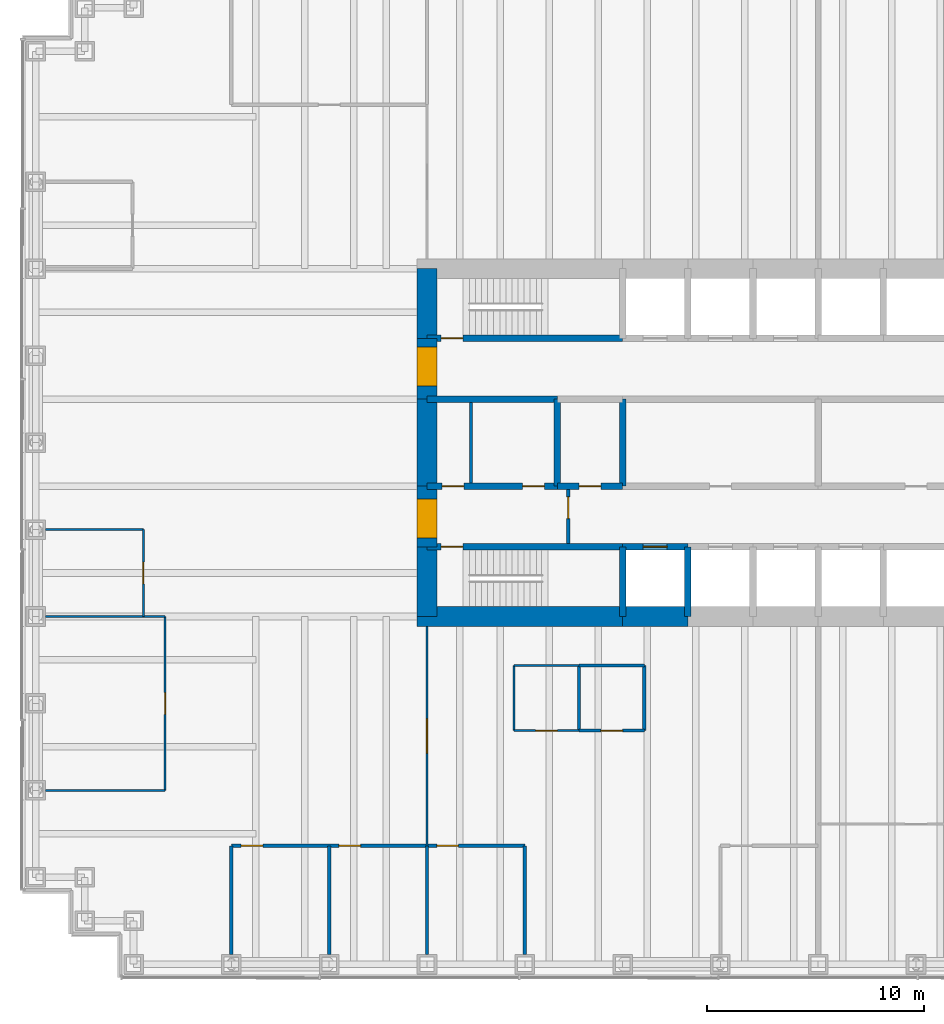
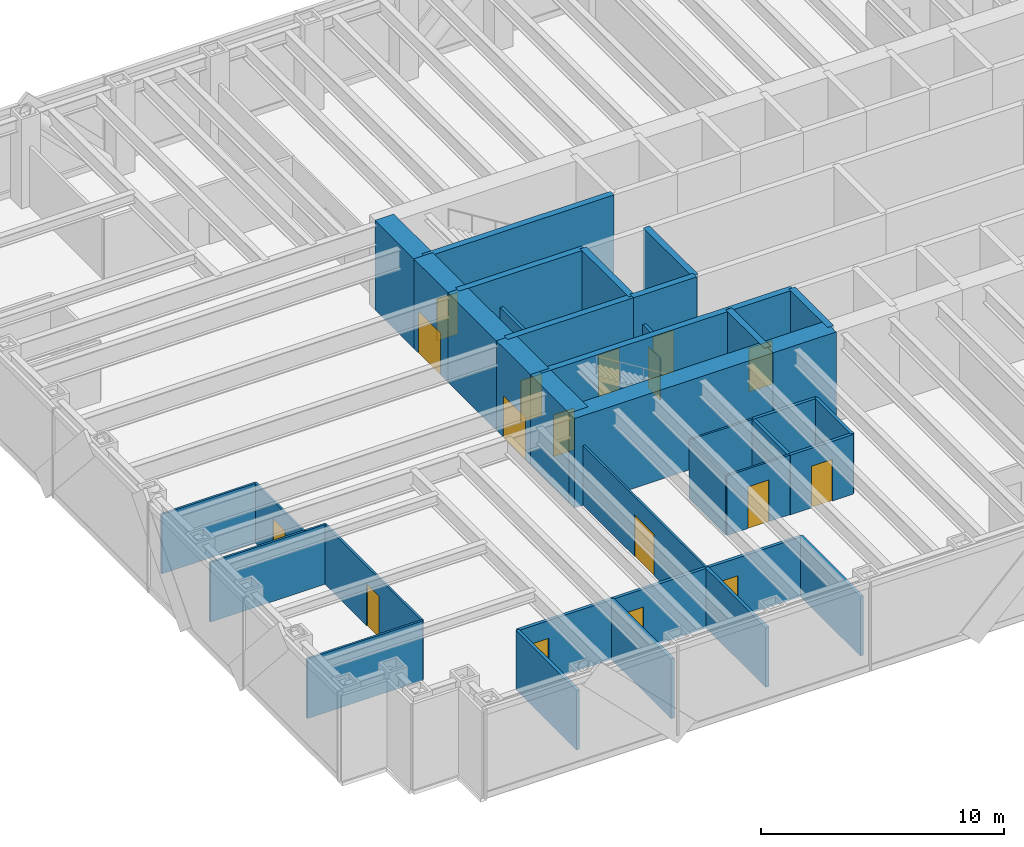
# One storey, part 9 of 13: 37 walls, 17 doors, 17 openings.
"""IFC4 building model written with IfcOpenShell, lengths in metres."""

import ifcopenshell
import ifcopenshell.guid

model = None  # the IFC model being written
_history = None  # IfcOwnerHistory: only IFC2X3 demands one
_inside = {}  # id of a spatial element -> (the spatial element, [elements in it])
_under = {}  # id of a project, library or spatial element -> (it, [spatial elements below it])
_declared = {}  # id of a project -> (the project, [libraries it declares])
_typed = {}  # id of a type object -> (the type object, [elements of that type])
_made_of = {}  # id of a material, layer set ... -> (it, [elements and type objects made of it])


def new_model(schema):
    """Start an empty IFC model of exactly this schema.

    Asked for "IFC4X3", IfcOpenShell would pick the latest addendum, in which some entities
    have other attributes; the version numbers below select the first issue.
    IFC2X3 requires an IfcOwnerHistory on every rooted entity: one is made here for all.
    """
    global model, _history
    if schema == "IFC4X3":
        model = ifcopenshell.file(schema_version=(4, 3, 0, 0))
    else:
        model = ifcopenshell.file(schema=schema)
    _inside.clear()
    _under.clear()
    _declared.clear()
    _typed.clear()
    _made_of.clear()
    _history = None
    if model.schema == "IFC2X3":
        org = make("IfcOrganization", Name="unknown")
        user = make(
            "IfcPersonAndOrganization",
            ThePerson=make("IfcPerson", FamilyName="unknown"),
            TheOrganization=org,
        )
        app = make(
            "IfcApplication",
            ApplicationDeveloper=org,
            Version="unknown",
            ApplicationFullName="unknown",
            ApplicationIdentifier="unknown",
        )
        _history = make(
            "IfcOwnerHistory",
            OwningUser=user,
            OwningApplication=app,
            ChangeAction="ADDED",
            CreationDate=0,
        )
    return model


def make(cls, **values):
    """One entity of the class cls with the attributes given. An attribute that is None is left unset."""
    return model.create_entity(
        cls, **{name: value for name, value in values.items() if value is not None}
    )


def rooted(cls, **values):
    """An entity with a GlobalId (a new one), such as an element, a storey or a relation."""
    return make(cls, GlobalId=ifcopenshell.guid.new(), OwnerHistory=_history, **values)


def si_unit(unit_type, name, prefix=None):
    """IfcSIUnit, for example si_unit("LENGTHUNIT", "METRE", prefix="MILLI")."""
    return make("IfcSIUnit", UnitType=unit_type, Prefix=prefix, Name=name)


def assignment(units):
    """IfcUnitAssignment: the units of a project."""
    return None if units is None else make("IfcUnitAssignment", Units=units)


def point(xyz):
    """IfcCartesianPoint."""
    return None if xyz is None else make("IfcCartesianPoint", Coordinates=xyz)


def direction(xyz):
    """IfcDirection."""
    return None if xyz is None else make("IfcDirection", DirectionRatios=xyz)


def frame(location, z_axis=None, x_axis=None):
    """IfcAxis2Placement3D, a coordinate frame: its origin and axes. An axis left out is left unset."""
    return make(
        "IfcAxis2Placement3D",
        Location=point(location),
        Axis=direction(z_axis),
        RefDirection=direction(x_axis),
    )


def frame_2d(location, x_axis=None):
    """IfcAxis2Placement2D, a coordinate frame in the plane: its origin and x axis."""
    return make(
        "IfcAxis2Placement2D", Location=point(location), RefDirection=direction(x_axis)
    )


def origin():
    """The frame at (0, 0, 0) with its axes left unset."""
    return frame((0.0, 0.0, 0.0))


def place(relative_to, where):
    """IfcLocalPlacement: puts the frame where relative to a parent placement (None: the world)."""
    return make(
        "IfcLocalPlacement", PlacementRelTo=relative_to, RelativePlacement=where
    )


def context(
    kind, dimensions, precision=None, world=None, true_north=None, identifier=None
):
    """IfcGeometricRepresentationContext, for example the 3D "Model" context."""
    return make(
        "IfcGeometricRepresentationContext",
        ContextIdentifier=identifier,
        ContextType=kind,
        CoordinateSpaceDimension=dimensions,
        Precision=precision,
        WorldCoordinateSystem=world,
        TrueNorth=true_north,
    )


def subcontext(parent, identifier, kind, view, scale=None):
    """IfcGeometricRepresentationSubContext, for example "Body" below "Model"."""
    return make(
        "IfcGeometricRepresentationSubContext",
        ContextIdentifier=identifier,
        ContextType=kind,
        ParentContext=parent,
        TargetScale=scale,
        TargetView=view,
    )


def project(units=None, contexts=None):
    """IfcProject with its units and contexts."""
    return rooted(
        "IfcProject",
        Name="project",
        RepresentationContexts=contexts,
        UnitsInContext=assignment(units),
    )


def spatial(cls, under=None, at=None, **own):
    """A site, building, storey or space (cls), placed at a placement, below another one or the project."""
    s = rooted(cls, ObjectPlacement=at, **own)
    if under is not None:
        _under.setdefault(under.id(), (under, []))[1].append(s)
    return s


def profile(cls, at=None, kind="AREA", **sizes):
    """A parametric profile (cls). Its sizes go by their IFC names, for example OverallWidth=200.0."""
    return make(cls, ProfileType=kind, Position=at, **sizes)


def rectangle(**sizes):
    """IfcRectangleProfileDef."""
    return profile("IfcRectangleProfileDef", **sizes)


def extrude(swept, where, along, depth):
    """IfcExtrudedAreaSolid: the profile swept, set in the frame where, extruded along a direction by depth."""
    return make(
        "IfcExtrudedAreaSolid",
        SweptArea=swept,
        Position=where,
        ExtrudedDirection=direction(along),
        Depth=depth,
    )


def shape(context_of_items, identifier, shape_type, items):
    """IfcShapeRepresentation: the items that make up one representation, for example the "Body"."""
    return make(
        "IfcShapeRepresentation",
        ContextOfItems=context_of_items,
        RepresentationIdentifier=identifier,
        RepresentationType=shape_type,
        Items=items,
    )


def material(Name=None, Category=None):
    """IfcMaterial."""
    return make("IfcMaterial", Name=Name, Category=Category)


def layer(
    of_material, thickness, ventilated=None, Name=None, Category=None, Priority=None
):
    """IfcMaterialLayer: one layer of a wall or slab, of a material (None: an air gap)."""
    return make(
        "IfcMaterialLayer",
        Material=of_material,
        LayerThickness=thickness,
        IsVentilated=ventilated,
        Name=Name,
        Category=Category,
        Priority=Priority,
    )


def layer_set(layers, Name=None):
    """IfcMaterialLayerSet."""
    return make("IfcMaterialLayerSet", MaterialLayers=layers, LayerSetName=Name)


def made_of(thing, what):
    """Note that an element or type object is made of a material, layer set ...; save() writes the relation."""
    if what is not None:
        _made_of.setdefault(what.id(), (what, []))[1].append(thing)
    return thing


def type_object(cls, material=None, **own):
    """A type object (cls), such as IfcWallType, which elements share."""
    return made_of(rooted(cls, **own), material)


def element(
    cls,
    number,
    at=None,
    inside=None,
    cuts=None,
    type_object=None,
    material=None,
    context=None,
    identifier="Body",
    shape_type=None,
    held_by="IfcProductDefinitionShape",
    body=None,
    shapes=None,
    **own,
):
    """One element of the class cls, such as IfcWall. Its Tag is "e" and its number.

    at: its placement. inside: the storey or other place that contains it. cuts: it is an
    opening in that element (IfcRelVoidsElement). A single representation is given by context,
    identifier, shape_type and body (its items); several are given by shapes. held_by: the class
    of the entity that holds the representations. save() writes the other relations.
    """
    e = rooted(cls, Tag="e%d" % number, ObjectPlacement=at, **own)
    if body is not None:
        shapes = [shape(context, identifier, shape_type, body)]
    if shapes is not None:
        e.Representation = make(held_by, Representations=shapes)
    if inside is not None:
        _inside.setdefault(inside.id(), (inside, []))[1].append(e)
    if cuts is not None:
        rooted(
            "IfcRelVoidsElement", RelatingBuildingElement=cuts, RelatedOpeningElement=e
        )
    if type_object is not None:
        _typed.setdefault(type_object.id(), (type_object, []))[1].append(e)
    return made_of(e, material)


def fill(opening, filler):
    """IfcRelFillsElement: the door or window that sits in an opening."""
    return rooted(
        "IfcRelFillsElement",
        RelatingOpeningElement=opening,
        RelatedBuildingElement=filler,
    )


def aggregate(whole, parts):
    """IfcRelAggregates: a whole, such as a stair, and the parts it consists of."""
    return rooted("IfcRelAggregates", RelatingObject=whole, RelatedObjects=parts)


def save(model, path):
    """Write the relations noted so far, then the file.

    IfcRelAggregates (storeys below a building ...), IfcRelContainedInSpatialStructure (elements
    in a storey), IfcRelDefinesByType, IfcRelAssociatesMaterial and IfcRelDeclares: one each for
    every whole, place, type object, material and project.
    """
    for whole, parts in _under.values():
        aggregate(whole, parts)
    for where, things in _inside.values():
        rooted(
            "IfcRelContainedInSpatialStructure",
            RelatedElements=things,
            RelatingStructure=where,
        )
    for kind, things in _typed.values():
        rooted("IfcRelDefinesByType", RelatedObjects=things, RelatingType=kind)
    for what, things in _made_of.values():
        rooted("IfcRelAssociatesMaterial", RelatedObjects=things, RelatingMaterial=what)
    for by, libraries in _declared.values():
        rooted("IfcRelDeclares", RelatingContext=by, RelatedDefinitions=libraries)
    model.write(path)


model = new_model("IFC4")

# Units and contexts
model_context = context("Model", 3, precision=1e-05, world=origin(), true_north=direction((0.0, 1.0)))
body_context = subcontext(model_context, "Body", "Model", "MODEL_VIEW")
ifc_project = project(units=[si_unit("LENGTHUNIT", "METRE"), si_unit("AREAUNIT", "SQUARE_METRE"), si_unit("VOLUMEUNIT", "CUBIC_METRE"), si_unit("PLANEANGLEUNIT", "RADIAN"), si_unit("MASSUNIT", "GRAM", prefix="KILO")], contexts=[model_context])

# Site, building, storey
site_placement = place(None, origin())
site = spatial("IfcSite", under=ifc_project, at=site_placement, CompositionType="ELEMENT")
building_placement = place(site_placement, origin())
building = spatial("IfcBuilding", under=site, at=building_placement, Name="Rheinbord Bourse Tower", CompositionType="ELEMENT")
storey_placement = place(building_placement, frame((0.0, 0.0, 54.5)))
storey = spatial("IfcBuildingStorey", under=building, at=storey_placement, Name="L11", CompositionType="ELEMENT", Elevation=54.5)

# Wall, opening, door
ifc_material_1 = material(Name="Concrete C50/60", Category="concrete")
ifc_layer_1 = layer(ifc_material_1, 0.300048828125)
ifc_layer_set_1 = layer_set([ifc_layer_1], Name="CORE INNER WALL 300")
wall_type_1 = type_object("IfcWallType", Name="CORE INNER WALL 300", PredefinedType="SOLIDWALL", material=ifc_layer_set_1)
wall_1_placement = place(storey_placement, frame((18.0, 19.199951171875, 0.0), z_axis=(0.0, 0.0, 1.0), x_axis=(1.0, 0.0, 0.0)))
wall_1 = element("IfcWall", 1, at=wall_1_placement, inside=storey, type_object=wall_type_1, Name="Core wall A1 L11", PredefinedType="SOLIDWALL", context=body_context, shape_type="SweptSolid", body=[
    extrude(rectangle(XDim=9.0, YDim=0.300048828125, at=frame_2d((4.5, 0.0))), origin(), (0.0, 0.0, 1.0), 4.5),
])
opening_1_placement = place(wall_1_placement, frame((0.64990234375, 0.0, 0.0)))
opening_1 = element("IfcOpeningElement", 2, at=opening_1_placement, cuts=wall_1, Name="Opening 1110", PredefinedType="OPENING", context=body_context, shape_type="SweptSolid", body=[
    extrude(rectangle(XDim=1.0, YDim=2.10009765625, at=frame_2d((0.5, 1.050048828125))), frame((0.0, 0.159912109375, 0.0), z_axis=(0.0, -1.0, 0.0), x_axis=(1.0, 0.0, 0.0)), (0.0, 0.0, 1.0), 0.320068359375),
])
ifc_material_2 = material(Name="Steel door", Category="steel")
door_type_1 = type_object("IfcDoorType", Name="DOOR 1000 EI30", OperationType="SINGLE_SWING_LEFT", PredefinedType="DOOR", material=ifc_material_2)
door_1_placement = place(opening_1_placement, origin())
door_1 = element("IfcDoor", 3, at=door_1_placement, inside=storey, type_object=door_type_1, Name="Stair door ST1 L11", OperationType="SINGLE_SWING_LEFT", OverallHeight=2.10009765625, OverallWidth=1.0, PredefinedType="DOOR", context=body_context, shape_type="SweptSolid", body=[
    extrude(rectangle(XDim=1.0, YDim=2.10009765625, at=frame_2d((0.5, 1.050048828125))), frame((0.0, 0.02490234375, 0.0), z_axis=(0.0, -1.0, 0.0), x_axis=(1.0, 0.0, 0.0)), (0.0, 0.0, 1.0), 0.050048828125),
])
fill(opening_1, door_1)

wall_2_placement = place(storey_placement, frame((27.0, 19.199951171875, 0.0), z_axis=(0.0, 0.0, 1.0), x_axis=(1.0, 0.0, 0.0)))
wall_2 = element("IfcWall", 4, at=wall_2_placement, inside=storey, type_object=wall_type_1, Name="Core wall A2 L11", PredefinedType="SOLIDWALL", context=body_context, shape_type="SweptSolid", body=[
    extrude(rectangle(XDim=3.0, YDim=0.300048828125, at=frame_2d((1.5, 0.0))), origin(), (0.0, 0.0, 1.0), 4.5),
])
opening_2_placement = place(wall_2_placement, frame((0.949951171875, 0.0, 0.0)))
opening_2 = element("IfcOpeningElement", 5, at=opening_2_placement, cuts=wall_2, Name="Opening FL1", PredefinedType="OPENING", context=body_context, shape_type="SweptSolid", body=[
    extrude(rectangle(XDim=1.10009765625, YDim=2.199951171875, at=frame_2d((0.550048828125, 1.10009765625))), frame((0.0, 0.159912109375, 0.0), z_axis=(0.0, -1.0, 0.0), x_axis=(1.0, 0.0, 0.0)), (0.0, 0.0, 1.0), 0.320068359375),
])
ifc_material_3 = material(Name="Steel landing door", Category="steel")
door_type_2 = type_object("IfcDoorType", Name="LIFT LANDING DOOR 1100", OperationType="DOUBLE_DOOR_SLIDING", PredefinedType="USERDEFINED", material=ifc_material_3)
door_2_placement = place(opening_2_placement, origin())
door_2 = element("IfcDoor", 6, at=door_2_placement, inside=storey, type_object=door_type_2, Name="Lift landing door FL1 L11", ObjectType="LIFT LANDING DOOR", OperationType="DOUBLE_DOOR_SLIDING", OverallHeight=2.199951171875, OverallWidth=1.10009765625, PredefinedType="USERDEFINED", context=body_context, shape_type="SweptSolid", body=[
    extrude(rectangle(XDim=1.10009765625, YDim=2.199951171875, at=frame_2d((0.550048828125, 1.10009765625))), frame((0.0, 0.02490234375, 0.0), z_axis=(0.0, -1.0, 0.0), x_axis=(1.0, 0.0, 0.0)), (0.0, 0.0, 1.0), 0.050048828125),
])
fill(opening_2, door_2)

wall_3_placement = place(storey_placement, frame((18.0, 28.800048828125, 0.0), z_axis=(0.0, 0.0, 1.0), x_axis=(1.0, 0.0, 0.0)))
wall_3 = element("IfcWall", 7, at=wall_3_placement, inside=storey, type_object=wall_type_1, Name="Core wall B1 L11", PredefinedType="SOLIDWALL", context=body_context, shape_type="SweptSolid", body=[
    extrude(rectangle(XDim=9.0, YDim=0.300048828125, at=frame_2d((4.5, 0.0))), origin(), (0.0, 0.0, 1.0), 4.5),
])
opening_3_placement = place(wall_3_placement, frame((0.64990234375, 0.0, 0.0)))
opening_3 = element("IfcOpeningElement", 8, at=opening_3_placement, cuts=wall_3, Name="Opening 1120", PredefinedType="OPENING", context=body_context, shape_type="SweptSolid", body=[
    extrude(rectangle(XDim=1.0, YDim=2.10009765625, at=frame_2d((0.5, 1.050048828125))), frame((0.0, 0.159912109375, 0.0), z_axis=(0.0, -1.0, 0.0), x_axis=(1.0, 0.0, 0.0)), (0.0, 0.0, 1.0), 0.320068359375),
])
door_3_placement = place(opening_3_placement, origin())
door_3 = element("IfcDoor", 9, at=door_3_placement, inside=storey, type_object=door_type_1, Name="Stair door ST2 L11", OperationType="SINGLE_SWING_LEFT", OverallHeight=2.10009765625, OverallWidth=1.0, PredefinedType="DOOR", context=body_context, shape_type="SweptSolid", body=[
    extrude(rectangle(XDim=1.0, YDim=2.10009765625, at=frame_2d((0.5, 1.050048828125))), frame((0.0, 0.02490234375, 0.0), z_axis=(0.0, -1.0, 0.0), x_axis=(1.0, 0.0, 0.0)), (0.0, 0.0, 1.0), 0.050048828125),
])
fill(opening_3, door_3)

# Wall, openings, doors
wall_4_placement = place(storey_placement, frame((18.0, 22.0, 0.0), z_axis=(0.0, 0.0, 1.0), x_axis=(1.0, 0.0, 0.0)))
wall_4 = element("IfcWall", 10, at=wall_4_placement, inside=storey, type_object=wall_type_1, Name="Core wall C1 L11", PredefinedType="SOLIDWALL", context=body_context, shape_type="SweptSolid", body=[
    extrude(rectangle(XDim=6.0, YDim=0.300048828125, at=frame_2d((3.0, 0.0))), origin(), (0.0, 0.0, 1.0), 4.5),
])
opening_4_placement = place(wall_4_placement, frame((4.39990234375, 0.0, 0.0)))
opening_4 = element("IfcOpeningElement", 11, at=opening_4_placement, cuts=wall_4, Name="Opening 11R1", PredefinedType="OPENING", context=body_context, shape_type="SweptSolid", body=[
    extrude(rectangle(XDim=1.0, YDim=2.10009765625, at=frame_2d((0.5, 1.050048828125))), frame((0.0, 0.159912109375, 0.0), z_axis=(0.0, -1.0, 0.0), x_axis=(1.0, 0.0, 0.0)), (0.0, 0.0, 1.0), 0.320068359375),
])
opening_5_placement = place(wall_4_placement, frame((0.699951171875, 0.0, 0.0)))
opening_5 = element("IfcOpeningElement", 12, at=opening_5_placement, cuts=wall_4, Name="Opening 11R9", PredefinedType="OPENING", context=body_context, shape_type="SweptSolid", body=[
    extrude(rectangle(XDim=1.0, YDim=2.10009765625, at=frame_2d((0.5, 1.050048828125))), frame((0.0, 0.159912109375, 0.0), z_axis=(0.0, -1.0, 0.0), x_axis=(1.0, 0.0, 0.0)), (0.0, 0.0, 1.0), 0.320068359375),
])
door_4_placement = place(opening_5_placement, origin())
door_4 = element("IfcDoor", 13, at=door_4_placement, inside=storey, type_object=door_type_1, Name="Staff shower door L11", OperationType="SINGLE_SWING_LEFT", OverallHeight=2.10009765625, OverallWidth=1.0, PredefinedType="DOOR", context=body_context, shape_type="SweptSolid", body=[
    extrude(rectangle(XDim=1.0, YDim=2.10009765625, at=frame_2d((0.5, 1.050048828125))), frame((0.0, 0.02490234375, 0.0), z_axis=(0.0, -1.0, 0.0), x_axis=(1.0, 0.0, 0.0)), (0.0, 0.0, 1.0), 0.050048828125),
])
fill(opening_5, door_4)
ifc_material_4 = material(Name="Timber door", Category="wood")
door_type_3 = type_object("IfcDoorType", Name="DOOR 1000 WC", OperationType="SINGLE_SWING_LEFT", PredefinedType="DOOR", material=ifc_material_4)
door_5_placement = place(opening_4_placement, origin())
door_5 = element("IfcDoor", 14, at=door_5_placement, inside=storey, type_object=door_type_3, Name="WC men door L11", OperationType="SINGLE_SWING_RIGHT", OverallHeight=2.10009765625, OverallWidth=1.0, PredefinedType="DOOR", context=body_context, shape_type="SweptSolid", body=[
    extrude(rectangle(XDim=1.0, YDim=2.10009765625, at=frame_2d((0.5, 1.050048828125))), frame((0.0, 0.02490234375, 0.0), z_axis=(0.0, -1.0, 0.0), x_axis=(1.0, 0.0, 0.0)), (0.0, 0.0, 1.0), 0.050048828125),
])
fill(opening_4, door_5)

# Wall, opening, door
wall_5_placement = place(storey_placement, frame((24.0, 22.0, 0.0), z_axis=(0.0, 0.0, 1.0), x_axis=(1.0, 0.0, 0.0)))
wall_5 = element("IfcWall", 15, at=wall_5_placement, inside=storey, type_object=wall_type_1, Name="Core wall C2 L11", PredefinedType="SOLIDWALL", context=body_context, shape_type="SweptSolid", body=[
    extrude(rectangle(XDim=3.0, YDim=0.300048828125, at=frame_2d((1.5, 0.0))), origin(), (0.0, 0.0, 1.0), 4.5),
])
opening_6_placement = place(wall_5_placement, frame((1.0, 0.0, 0.0)))
opening_6 = element("IfcOpeningElement", 16, at=opening_6_placement, cuts=wall_5, Name="Opening 11R2", PredefinedType="OPENING", context=body_context, shape_type="SweptSolid", body=[
    extrude(rectangle(XDim=1.0, YDim=2.10009765625, at=frame_2d((0.5, 1.050048828125))), frame((0.0, 0.159912109375, 0.0), z_axis=(0.0, -1.0, 0.0), x_axis=(1.0, 0.0, 0.0)), (0.0, 0.0, 1.0), 0.320068359375),
])
door_6_placement = place(opening_6_placement, origin())
door_6 = element("IfcDoor", 17, at=door_6_placement, inside=storey, type_object=door_type_1, Name="First aid room door L11", OperationType="SINGLE_SWING_LEFT", OverallHeight=2.10009765625, OverallWidth=1.0, PredefinedType="DOOR", context=body_context, shape_type="SweptSolid", body=[
    extrude(rectangle(XDim=1.0, YDim=2.10009765625, at=frame_2d((0.5, 1.050048828125))), frame((0.0, 0.02490234375, 0.0), z_axis=(0.0, -1.0, 0.0), x_axis=(1.0, 0.0, 0.0)), (0.0, 0.0, 1.0), 0.050048828125),
])
fill(opening_6, door_6)

# Walls
wall_6_placement = place(storey_placement, frame((18.0, 26.0, 0.0), z_axis=(0.0, 0.0, 1.0), x_axis=(1.0, 0.0, 0.0)))
element("IfcWall", 18, at=wall_6_placement, inside=storey, type_object=wall_type_1, Name="Core wall D1 L11", PredefinedType="SOLIDWALL", context=body_context, shape_type="SweptSolid", body=[
    extrude(rectangle(XDim=6.0, YDim=0.300048828125, at=frame_2d((3.0, 0.0))), origin(), (0.0, 0.0, 1.0), 4.5),
])
for number, where, z_axis, x_axis, name in (
    (19, (27.0, 16.0, 0.0), (0.0, 0.0, 1.0), (0.0, 1.0, 0.0), "Core wall SX27 L11"),
    (20, (30.0, 16.0, 0.0), (0.0, 0.0, 1.0), (0.0, 1.0, 0.0), "Core wall SX30 L11"),
):
    element("IfcWall", number, at=place(storey_placement, frame(where, z_axis=z_axis, x_axis=x_axis)), inside=storey, type_object=wall_type_1, Name=name, PredefinedType="SOLIDWALL", context=body_context, shape_type="SweptSolid", body=[
        extrude(rectangle(XDim=3.199951171875, YDim=0.300048828125, at=frame_2d((1.60009765625, 0.0))), origin(), (0.0, 0.0, 1.0), 4.5),
    ])
for number, where, z_axis, x_axis, name in (
    (21, (24.0, 22.0, 0.0), (0.0, 0.0, 1.0), (0.0, 1.0, 0.0), "Core wall MX24 L11"),
    (22, (27.0, 22.0, 0.0), (0.0, 0.0, 1.0), (0.0, 1.0, 0.0), "Core wall MX27 L11"),
):
    element("IfcWall", number, at=place(storey_placement, frame(where, z_axis=z_axis, x_axis=x_axis)), inside=storey, type_object=wall_type_1, Name=name, PredefinedType="SOLIDWALL", context=body_context, shape_type="SweptSolid", body=[
        extrude(rectangle(XDim=4.0, YDim=0.300048828125, at=frame_2d((2.0, 0.0))), origin(), (0.0, 0.0, 1.0), 4.5),
    ])
ifc_material_5 = material(Name="Gypsum board fire partition", Category="gypsum board")
ifc_layer_2 = layer(ifc_material_5, 0.14990234375)
ifc_layer_set_2 = layer_set([ifc_layer_2], Name="CORE PARTITION 150 EI30")
wall_type_2 = type_object("IfcWallType", Name="CORE PARTITION 150 EI30", PredefinedType="PARTITIONING", material=ifc_layer_set_2)
wall_7_placement = place(storey_placement, frame((20.02490234375, 22.14990234375, 0.0), z_axis=(0.0, 0.0, 1.0), x_axis=(0.0, 1.0, 0.0)))
element("IfcWall", 23, at=wall_7_placement, inside=storey, type_object=wall_type_2, Name="Core partition L11-2", PredefinedType="PARTITIONING", context=body_context, shape_type="SweptSolid", body=[
    extrude(rectangle(XDim=3.7001953125, YDim=0.14990234375, at=frame_2d((1.85009765625, 0.0))), origin(), (0.0, 0.0, 1.0), 3.0),
])

# Wall, opening, door
wall_8_placement = place(storey_placement, frame((24.5, 19.35009765625, 0.0), z_axis=(0.0, 0.0, 1.0), x_axis=(0.0, 1.0, 0.0)))
wall_8 = element("IfcWall", 24, at=wall_8_placement, inside=storey, type_object=wall_type_2, Name="Core partition L11-4", PredefinedType="PARTITIONING", context=body_context, shape_type="SweptSolid", body=[
    extrude(rectangle(XDim=2.5, YDim=0.14990234375, at=frame_2d((1.25, 0.0))), origin(), (0.0, 0.0, 1.0), 3.0),
])
opening_7_placement = place(wall_8_placement, frame((1.14990234375, 0.0, 0.0)))
opening_7 = element("IfcOpeningElement", 25, at=opening_7_placement, cuts=wall_8, Name="Opening 11L5", PredefinedType="OPENING", context=body_context, shape_type="SweptSolid", body=[
    extrude(rectangle(XDim=1.0, YDim=2.10009765625, at=frame_2d((0.5, 1.050048828125))), frame((0.0, 0.0849609375, 0.0), z_axis=(0.0, -1.0, 0.0), x_axis=(1.0, 0.0, 0.0)), (0.0, 0.0, 1.0), 0.169921875),
])
door_7_placement = place(opening_7_placement, origin())
door_7 = element("IfcDoor", 26, at=door_7_placement, inside=storey, type_object=door_type_1, Name="Stair lobby door L11", OperationType="SINGLE_SWING_RIGHT", OverallHeight=2.10009765625, OverallWidth=1.0, PredefinedType="DOOR", context=body_context, shape_type="SweptSolid", body=[
    extrude(rectangle(XDim=1.0, YDim=2.10009765625, at=frame_2d((0.5, 1.050048828125))), frame((0.0, 0.02490234375, 0.0), z_axis=(0.0, -1.0, 0.0), x_axis=(1.0, 0.0, 0.0)), (0.0, 0.0, 1.0), 0.050048828125),
])
fill(opening_7, door_7)

# Walls
ifc_material_6 = material(Name="Concrete C50/60", Category="concrete")
ifc_layer_3 = layer(ifc_material_6, 0.89990234375)
ifc_layer_set_3 = layer_set([ifc_layer_3], Name="CORE WALL 900")
wall_type_3 = type_object("IfcWallType", Name="CORE WALL 900", PredefinedType="SHEAR", material=ifc_layer_set_3)
wall_9_placement = place(storey_placement, frame((17.550048828125, 16.0, 0.0), z_axis=(0.0, 0.0, 1.0), x_axis=(1.0, 0.0, 0.0)))
element("IfcWall", 27, at=wall_9_placement, inside=storey, type_object=wall_type_3, Name="Core wall S1 L11", PredefinedType="SHEAR", context=body_context, shape_type="SweptSolid", body=[
    extrude(rectangle(XDim=9.449951171875, YDim=0.89990234375, at=frame_2d((4.72509765625, 0.0))), origin(), (0.0, 0.0, 1.0), 4.5),
])
wall_10_placement = place(storey_placement, frame((27.0, 16.0, 0.0), z_axis=(0.0, 0.0, 1.0), x_axis=(1.0, 0.0, 0.0)))
element("IfcWall", 28, at=wall_10_placement, inside=storey, type_object=wall_type_3, Name="Core wall S2 L11", PredefinedType="SHEAR", context=body_context, shape_type="SweptSolid", body=[
    extrude(rectangle(XDim=3.0, YDim=0.89990234375, at=frame_2d((1.5, 0.0))), origin(), (0.0, 0.0, 1.0), 4.5),
])
wall_11_placement = place(storey_placement, frame((18.0, 32.0, 0.0), z_axis=(0.0, 0.0, 1.0), x_axis=(0.0, -1.0, 0.0)))
element("IfcWall", 29, at=wall_11_placement, inside=storey, type_object=wall_type_3, Name="Core wall W1 L11", PredefinedType="SHEAR", context=body_context, shape_type="SweptSolid", body=[
    extrude(rectangle(XDim=3.199951171875, YDim=0.89990234375, at=frame_2d((1.60009765625, 0.0))), origin(), (0.0, 0.0, 1.0), 4.5),
])

# Wall, opening, door
wall_12_placement = place(storey_placement, frame((18.0, 28.800048828125, 0.0), z_axis=(0.0, 0.0, 1.0), x_axis=(0.0, -1.0, 0.0)))
wall_12 = element("IfcWall", 30, at=wall_12_placement, inside=storey, type_object=wall_type_3, Name="Core wall W2 L11", PredefinedType="SHEAR", context=body_context, shape_type="SweptSolid", body=[
    extrude(rectangle(XDim=2.800048828125, YDim=0.89990234375, at=frame_2d((1.39990234375, 0.0))), origin(), (0.0, 0.0, 1.0), 4.5),
])
opening_8_placement = place(wall_12_placement, frame((0.39990234375, 0.0, 0.0)))
opening_8 = element("IfcOpeningElement", 31, at=opening_8_placement, cuts=wall_12, Name="Opening 11L2", PredefinedType="OPENING", context=body_context, shape_type="SweptSolid", body=[
    extrude(rectangle(XDim=1.800048828125, YDim=2.10009765625, at=frame_2d((0.89990234375, 1.050048828125))), frame((0.0, 0.4599609375, 0.0), z_axis=(0.0, -1.0, 0.0), x_axis=(1.0, 0.0, 0.0)), (0.0, 0.0, 1.0), 0.919921875),
])
ifc_material_7 = material(Name="Steel door", Category="steel")
door_type_4 = type_object("IfcDoorType", Name="DOOR 1800 EI30 DOUBLE", OperationType="DOUBLE_DOOR_DOUBLE_SWING", PredefinedType="DOOR", material=ifc_material_7)
door_8_placement = place(opening_8_placement, origin())
door_8 = element("IfcDoor", 32, at=door_8_placement, inside=storey, type_object=door_type_4, Name="Lobby door 2 L11", OperationType="SINGLE_SWING_LEFT", OverallHeight=2.10009765625, OverallWidth=1.800048828125, PredefinedType="DOOR", context=body_context, shape_type="SweptSolid", body=[
    extrude(rectangle(XDim=1.800048828125, YDim=2.10009765625, at=frame_2d((0.89990234375, 1.050048828125))), frame((0.0, 0.44970703125, 0.0), z_axis=(0.0, -1.0, 0.0), x_axis=(1.0, 0.0, 0.0)), (0.0, 0.0, 1.0), 0.8994140625),
])
fill(opening_8, door_8)

# Wall
wall_13_placement = place(storey_placement, frame((18.0, 26.0, 0.0), z_axis=(0.0, 0.0, 1.0), x_axis=(0.0, -1.0, 0.0)))
element("IfcWall", 33, at=wall_13_placement, inside=storey, type_object=wall_type_3, Name="Core wall W3 L11", PredefinedType="SHEAR", context=body_context, shape_type="SweptSolid", body=[
    extrude(rectangle(XDim=4.0, YDim=0.89990234375, at=frame_2d((2.0, 0.0))), origin(), (0.0, 0.0, 1.0), 4.5),
])

# Wall, opening, door
wall_14_placement = place(storey_placement, frame((18.0, 22.0, 0.0), z_axis=(0.0, 0.0, 1.0), x_axis=(0.0, -1.0, 0.0)))
wall_14 = element("IfcWall", 34, at=wall_14_placement, inside=storey, type_object=wall_type_3, Name="Core wall W4 L11", PredefinedType="SHEAR", context=body_context, shape_type="SweptSolid", body=[
    extrude(rectangle(XDim=2.800048828125, YDim=0.89990234375, at=frame_2d((1.39990234375, 0.0))), origin(), (0.0, 0.0, 1.0), 4.5),
])
opening_9_placement = place(wall_14_placement, frame((0.60009765625, 0.0, 0.0)))
opening_9 = element("IfcOpeningElement", 35, at=opening_9_placement, cuts=wall_14, Name="Opening 11L1", PredefinedType="OPENING", context=body_context, shape_type="SweptSolid", body=[
    extrude(rectangle(XDim=1.800048828125, YDim=2.10009765625, at=frame_2d((0.89990234375, 1.050048828125))), frame((0.0, 0.4599609375, 0.0), z_axis=(0.0, -1.0, 0.0), x_axis=(1.0, 0.0, 0.0)), (0.0, 0.0, 1.0), 0.919921875),
])
door_9_placement = place(opening_9_placement, origin())
door_9 = element("IfcDoor", 36, at=door_9_placement, inside=storey, type_object=door_type_4, Name="Lobby door 1 L11", OperationType="SINGLE_SWING_LEFT", OverallHeight=2.10009765625, OverallWidth=1.800048828125, PredefinedType="DOOR", context=body_context, shape_type="SweptSolid", body=[
    extrude(rectangle(XDim=1.800048828125, YDim=2.10009765625, at=frame_2d((0.89990234375, 1.050048828125))), frame((0.0, 0.44970703125, 0.0), z_axis=(0.0, -1.0, 0.0), x_axis=(1.0, 0.0, 0.0)), (0.0, 0.0, 1.0), 0.8994140625),
])
fill(opening_9, door_9)

# Walls
wall_15_placement = place(storey_placement, frame((18.0, 19.199951171875, 0.0), z_axis=(0.0, 0.0, 1.0), x_axis=(0.0, -1.0, 0.0)))
element("IfcWall", 37, at=wall_15_placement, inside=storey, type_object=wall_type_3, Name="Core wall W5 L11", PredefinedType="SHEAR", context=body_context, shape_type="SweptSolid", body=[
    extrude(rectangle(XDim=3.199951171875, YDim=0.89990234375, at=frame_2d((1.60009765625, 0.0))), origin(), (0.0, 0.0, 1.0), 4.5),
])
ifc_material_8 = material(Name="Toughened laminated glass partition", Category="glass")
ifc_layer_4 = layer(ifc_material_8, 0.10009765625)
ifc_layer_set_4 = layer_set([ifc_layer_4], Name="GLAZED PARTITION 100")
wall_type_4 = type_object("IfcWallType", Name="GLAZED PARTITION 100", PredefinedType="PARTITIONING", material=ifc_layer_set_4)
wall_16_placement = place(storey_placement, frame((0.449951171875, 8.0, 0.0), z_axis=(0.0, 0.0, 1.0), x_axis=(1.0, 0.0, 0.0)))
element("IfcWall", 38, at=wall_16_placement, inside=storey, type_object=wall_type_4, Name="Partition L11-06", PredefinedType="PARTITIONING", context=body_context, shape_type="SweptSolid", body=[
    extrude(rectangle(XDim=5.5, YDim=0.10009765625, at=frame_2d((2.75, 0.0))), origin(), (0.0, 0.0, 1.0), 3.0),
])

# Wall, opening, door
wall_17_placement = place(storey_placement, frame((22.0, 10.75, 0.0), z_axis=(0.0, 0.0, 1.0), x_axis=(1.0, 0.0, 0.0)))
wall_17 = element("IfcWall", 39, at=wall_17_placement, inside=storey, type_object=wall_type_4, Name="Partition L11-07", PredefinedType="PARTITIONING", context=body_context, shape_type="SweptSolid", body=[
    extrude(rectangle(XDim=3.0, YDim=0.10009765625, at=frame_2d((1.5, 0.0))), origin(), (0.0, 0.0, 1.0), 3.0),
])
opening_10_placement = place(wall_17_placement, frame((1.0, 0.0, 0.0)))
opening_10 = element("IfcOpeningElement", 40, at=opening_10_placement, cuts=wall_17, Name="Opening 11D11", PredefinedType="OPENING", context=body_context, shape_type="SweptSolid", body=[
    extrude(rectangle(XDim=1.0, YDim=2.10009765625, at=frame_2d((0.5, 1.050048828125))), frame((0.0, 0.06005859375, 0.0), z_axis=(0.0, -1.0, 0.0), x_axis=(1.0, 0.0, 0.0)), (0.0, 0.0, 1.0), 0.1201171875),
])
ifc_material_9 = material(Name="Timber door", Category="wood")
door_type_5 = type_object("IfcDoorType", Name="ROOM DOOR 1000", OperationType="SINGLE_SWING_LEFT", PredefinedType="DOOR", material=ifc_material_9)
door_10_placement = place(opening_10_placement, origin())
door_10 = element("IfcDoor", 41, at=door_10_placement, inside=storey, type_object=door_type_5, Name="Quiet room door L11", OperationType="SINGLE_SWING_LEFT", OverallHeight=2.10009765625, OverallWidth=1.0, PredefinedType="DOOR", context=body_context, shape_type="SweptSolid", body=[
    extrude(rectangle(XDim=1.0, YDim=2.10009765625, at=frame_2d((0.5, 1.050048828125))), frame((0.0, 0.02490234375, 0.0), z_axis=(0.0, -1.0, 0.0), x_axis=(1.0, 0.0, 0.0)), (0.0, 0.0, 1.0), 0.050048828125),
])
fill(opening_10, door_10)

# Walls
wall_18_placement = place(storey_placement, frame((22.0, 13.75, 0.0), z_axis=(0.0, 0.0, 1.0), x_axis=(1.0, 0.0, 0.0)))
element("IfcWall", 42, at=wall_18_placement, inside=storey, type_object=wall_type_4, Name="Partition L11-10", PredefinedType="PARTITIONING", context=body_context, shape_type="SweptSolid", body=[
    extrude(rectangle(XDim=3.0, YDim=0.10009765625, at=frame_2d((1.5, 0.0))), origin(), (0.0, 0.0, 1.0), 3.0),
])
wall_19_placement = place(storey_placement, frame((0.449951171875, 16.0, 0.0), z_axis=(0.0, 0.0, 1.0), x_axis=(1.0, 0.0, 0.0)))
element("IfcWall", 43, at=wall_19_placement, inside=storey, type_object=wall_type_4, Name="Partition L11-12", PredefinedType="PARTITIONING", context=body_context, shape_type="SweptSolid", body=[
    extrude(rectangle(XDim=5.5, YDim=0.10009765625, at=frame_2d((2.75, 0.0))), origin(), (0.0, 0.0, 1.0), 3.0),
])
wall_20_placement = place(storey_placement, frame((0.449951171875, 20.0, 0.0), z_axis=(0.0, 0.0, 1.0), x_axis=(1.0, 0.0, 0.0)))
element("IfcWall", 44, at=wall_20_placement, inside=storey, type_object=wall_type_4, Name="Partition L11-14", PredefinedType="PARTITIONING", context=body_context, shape_type="SweptSolid", body=[
    extrude(rectangle(XDim=4.5, YDim=0.10009765625, at=frame_2d((2.25, 0.0))), origin(), (0.0, 0.0, 1.0), 3.0),
])

# Wall, opening, door
wall_21_placement = place(storey_placement, frame((4.949951171875, 16.0, 0.0), z_axis=(0.0, 0.0, 1.0), x_axis=(0.0, 1.0, 0.0)))
wall_21 = element("IfcWall", 45, at=wall_21_placement, inside=storey, type_object=wall_type_4, Name="Partition L11-24", PredefinedType="PARTITIONING", context=body_context, shape_type="SweptSolid", body=[
    extrude(rectangle(XDim=4.0, YDim=0.10009765625, at=frame_2d((2.0, 0.0))), origin(), (0.0, 0.0, 1.0), 3.0),
])
opening_11_placement = place(wall_21_placement, frame((1.5, 0.0, 0.0)))
opening_11 = element("IfcOpeningElement", 46, at=opening_11_placement, cuts=wall_21, Name="Opening 11D14", PredefinedType="OPENING", context=body_context, shape_type="SweptSolid", body=[
    extrude(rectangle(XDim=1.0, YDim=2.10009765625, at=frame_2d((0.5, 1.050048828125))), frame((0.0, 0.06005859375, 0.0), z_axis=(0.0, -1.0, 0.0), x_axis=(1.0, 0.0, 0.0)), (0.0, 0.0, 1.0), 0.1201171875),
])
door_11_placement = place(opening_11_placement, origin())
door_11 = element("IfcDoor", 47, at=door_11_placement, inside=storey, type_object=door_type_5, Name="Focus room door L11", OperationType="SINGLE_SWING_LEFT", OverallHeight=2.10009765625, OverallWidth=1.0, PredefinedType="DOOR", context=body_context, shape_type="SweptSolid", body=[
    extrude(rectangle(XDim=1.0, YDim=2.10009765625, at=frame_2d((0.5, 1.050048828125))), frame((0.0, 0.02490234375, 0.0), z_axis=(0.0, -1.0, 0.0), x_axis=(1.0, 0.0, 0.0)), (0.0, 0.0, 1.0), 0.050048828125),
])
fill(opening_11, door_11)

wall_22_placement = place(storey_placement, frame((5.949951171875, 8.0, 0.0), z_axis=(0.0, 0.0, 1.0), x_axis=(0.0, 1.0, 0.0)))
wall_22 = element("IfcWall", 48, at=wall_22_placement, inside=storey, type_object=wall_type_4, Name="Partition L11-25", PredefinedType="PARTITIONING", context=body_context, shape_type="SweptSolid", body=[
    extrude(rectangle(XDim=8.0, YDim=0.10009765625, at=frame_2d((4.0, 0.0))), origin(), (0.0, 0.0, 1.0), 3.0),
])
opening_12_placement = place(wall_22_placement, frame((3.5, 0.0, 0.0)))
opening_12 = element("IfcOpeningElement", 49, at=opening_12_placement, cuts=wall_22, Name="Opening 11D10", PredefinedType="OPENING", context=body_context, shape_type="SweptSolid", body=[
    extrude(rectangle(XDim=1.0, YDim=2.10009765625, at=frame_2d((0.5, 1.050048828125))), frame((0.0, 0.06005859375, 0.0), z_axis=(0.0, -1.0, 0.0), x_axis=(1.0, 0.0, 0.0)), (0.0, 0.0, 1.0), 0.1201171875),
])
door_12_placement = place(opening_12_placement, origin())
door_12 = element("IfcDoor", 50, at=door_12_placement, inside=storey, type_object=door_type_5, Name="Meeting room door L11", OperationType="SINGLE_SWING_LEFT", OverallHeight=2.10009765625, OverallWidth=1.0, PredefinedType="DOOR", context=body_context, shape_type="SweptSolid", body=[
    extrude(rectangle(XDim=1.0, YDim=2.10009765625, at=frame_2d((0.5, 1.050048828125))), frame((0.0, 0.02490234375, 0.0), z_axis=(0.0, -1.0, 0.0), x_axis=(1.0, 0.0, 0.0)), (0.0, 0.0, 1.0), 0.050048828125),
])
fill(opening_12, door_12)

wall_23_placement = place(storey_placement, frame((18.0, 5.449951171875, 0.0), z_axis=(0.0, 0.0, 1.0), x_axis=(0.0, 1.0, 0.0)))
wall_23 = element("IfcWall", 51, at=wall_23_placement, inside=storey, type_object=wall_type_4, Name="Partition L11-30", PredefinedType="PARTITIONING", context=body_context, shape_type="SweptSolid", body=[
    extrude(rectangle(XDim=10.10009765625, YDim=0.10009765625, at=frame_2d((5.050048828125, 0.0))), origin(), (0.0, 0.0, 1.0), 3.0),
])
opening_13_placement = place(wall_23_placement, frame((4.25, 0.0, 0.0)))
opening_13 = element("IfcOpeningElement", 52, at=opening_13_placement, cuts=wall_23, Name="Opening 11D21", PredefinedType="OPENING", context=body_context, shape_type="SweptSolid", body=[
    extrude(rectangle(XDim=1.60009765625, YDim=2.10009765625, at=frame_2d((0.800048828125, 1.050048828125))), frame((0.0, 0.06005859375, 0.0), z_axis=(0.0, -1.0, 0.0), x_axis=(1.0, 0.0, 0.0)), (0.0, 0.0, 1.0), 0.1201171875),
])
ifc_material_10 = material(Name="Timber door", Category="wood")
door_type_6 = type_object("IfcDoorType", Name="DOUBLE ROOM DOOR 1600", OperationType="DOUBLE_DOOR_DOUBLE_SWING", PredefinedType="DOOR", material=ifc_material_10)
door_13_placement = place(opening_13_placement, origin())
door_13 = element("IfcDoor", 53, at=door_13_placement, inside=storey, type_object=door_type_6, Name="Open area door L11", OperationType="SINGLE_SWING_LEFT", OverallHeight=2.10009765625, OverallWidth=1.60009765625, PredefinedType="DOOR", context=body_context, shape_type="SweptSolid", body=[
    extrude(rectangle(XDim=1.60009765625, YDim=2.10009765625, at=frame_2d((0.800048828125, 1.050048828125))), frame((0.0, 0.02490234375, 0.0), z_axis=(0.0, -1.0, 0.0), x_axis=(1.0, 0.0, 0.0)), (0.0, 0.0, 1.0), 0.050048828125),
])
fill(opening_13, door_13)

# Wall
wall_24_placement = place(storey_placement, frame((22.0, 10.75, 0.0), z_axis=(0.0, 0.0, 1.0), x_axis=(0.0, 1.0, 0.0)))
element("IfcWall", 54, at=wall_24_placement, inside=storey, type_object=wall_type_4, Name="Partition L11-33", PredefinedType="PARTITIONING", context=body_context, shape_type="SweptSolid", body=[
    extrude(rectangle(XDim=3.0, YDim=0.10009765625, at=frame_2d((1.5, 0.0))), origin(), (0.0, 0.0, 1.0), 3.0),
])

# Wall, openings, doors
ifc_material_11 = material(Name="Gypsum board partition", Category="gypsum board")
ifc_layer_5 = layer(ifc_material_11, 0.14990234375)
ifc_layer_set_5 = layer_set([ifc_layer_5], Name="PARTITION 150")
wall_type_5 = type_object("IfcWallType", Name="PARTITION 150", PredefinedType="PARTITIONING", material=ifc_layer_set_5)
wall_25_placement = place(storey_placement, frame((9.0, 5.449951171875, 0.0), z_axis=(0.0, 0.0, 1.0), x_axis=(1.0, 0.0, 0.0)))
wall_25 = element("IfcWall", 55, at=wall_25_placement, inside=storey, type_object=wall_type_5, Name="Partition L11-02", PredefinedType="PARTITIONING", context=body_context, shape_type="SweptSolid", body=[
    extrude(rectangle(XDim=13.5, YDim=0.14990234375, at=frame_2d((6.75, 0.0))), origin(), (0.0, 0.0, 1.0), 3.0),
])
opening_14_placement = place(wall_25_placement, frame((0.449951171875, 0.0, 0.0)))
opening_14 = element("IfcOpeningElement", 56, at=opening_14_placement, cuts=wall_25, Name="Opening 11D04", PredefinedType="OPENING", context=body_context, shape_type="SweptSolid", body=[
    extrude(rectangle(XDim=1.0, YDim=2.10009765625, at=frame_2d((0.5, 1.050048828125))), frame((0.0, 0.0849609375, 0.0), z_axis=(0.0, -1.0, 0.0), x_axis=(1.0, 0.0, 0.0)), (0.0, 0.0, 1.0), 0.169921875),
])
opening_15_placement = place(wall_25_placement, frame((4.949951171875, 0.0, 0.0)))
opening_15 = element("IfcOpeningElement", 57, at=opening_15_placement, cuts=wall_25, Name="Opening 11D05", PredefinedType="OPENING", context=body_context, shape_type="SweptSolid", body=[
    extrude(rectangle(XDim=1.0, YDim=2.10009765625, at=frame_2d((0.5, 1.050048828125))), frame((0.0, 0.0849609375, 0.0), z_axis=(0.0, -1.0, 0.0), x_axis=(1.0, 0.0, 0.0)), (0.0, 0.0, 1.0), 0.169921875),
])
opening_16_placement = place(wall_25_placement, frame((9.449951171875, 0.0, 0.0)))
opening_16 = element("IfcOpeningElement", 58, at=opening_16_placement, cuts=wall_25, Name="Opening 11D06", PredefinedType="OPENING", context=body_context, shape_type="SweptSolid", body=[
    extrude(rectangle(XDim=1.0, YDim=2.10009765625, at=frame_2d((0.5, 1.050048828125))), frame((0.0, 0.0849609375, 0.0), z_axis=(0.0, -1.0, 0.0), x_axis=(1.0, 0.0, 0.0)), (0.0, 0.0, 1.0), 0.169921875),
])
door_14_placement = place(opening_14_placement, origin())
door_14 = element("IfcDoor", 59, at=door_14_placement, inside=storey, type_object=door_type_5, Name="Office door L11", OperationType="SINGLE_SWING_LEFT", OverallHeight=2.10009765625, OverallWidth=1.0, PredefinedType="DOOR", context=body_context, shape_type="SweptSolid", body=[
    extrude(rectangle(XDim=1.0, YDim=2.10009765625, at=frame_2d((0.5, 1.050048828125))), frame((0.0, 0.02490234375, 0.0), z_axis=(0.0, -1.0, 0.0), x_axis=(1.0, 0.0, 0.0)), (0.0, 0.0, 1.0), 0.050048828125),
])
fill(opening_14, door_14)
door_15_placement = place(opening_15_placement, origin())
door_15 = element("IfcDoor", 60, at=door_15_placement, inside=storey, type_object=door_type_5, Name="Office door L11", OperationType="SINGLE_SWING_LEFT", OverallHeight=2.10009765625, OverallWidth=1.0, PredefinedType="DOOR", context=body_context, shape_type="SweptSolid", body=[
    extrude(rectangle(XDim=1.0, YDim=2.10009765625, at=frame_2d((0.5, 1.050048828125))), frame((0.0, 0.02490234375, 0.0), z_axis=(0.0, -1.0, 0.0), x_axis=(1.0, 0.0, 0.0)), (0.0, 0.0, 1.0), 0.050048828125),
])
fill(opening_15, door_15)
door_16_placement = place(opening_16_placement, origin())
door_16 = element("IfcDoor", 61, at=door_16_placement, inside=storey, type_object=door_type_5, Name="Office door L11", OperationType="SINGLE_SWING_RIGHT", OverallHeight=2.10009765625, OverallWidth=1.0, PredefinedType="DOOR", context=body_context, shape_type="SweptSolid", body=[
    extrude(rectangle(XDim=1.0, YDim=2.10009765625, at=frame_2d((0.5, 1.050048828125))), frame((0.0, 0.02490234375, 0.0), z_axis=(0.0, -1.0, 0.0), x_axis=(1.0, 0.0, 0.0)), (0.0, 0.0, 1.0), 0.050048828125),
])
fill(opening_16, door_16)

# Wall, opening, door
wall_26_placement = place(storey_placement, frame((25.0, 10.75, 0.0), z_axis=(0.0, 0.0, 1.0), x_axis=(1.0, 0.0, 0.0)))
wall_26 = element("IfcWall", 62, at=wall_26_placement, inside=storey, type_object=wall_type_5, Name="Partition L11-08", PredefinedType="PARTITIONING", context=body_context, shape_type="SweptSolid", body=[
    extrude(rectangle(XDim=3.0, YDim=0.14990234375, at=frame_2d((1.5, 0.0))), origin(), (0.0, 0.0, 1.0), 3.0),
])
opening_17_placement = place(wall_26_placement, frame((1.0, 0.0, 0.0)))
opening_17 = element("IfcOpeningElement", 63, at=opening_17_placement, cuts=wall_26, Name="Opening 11D12", PredefinedType="OPENING", context=body_context, shape_type="SweptSolid", body=[
    extrude(rectangle(XDim=1.0, YDim=2.10009765625, at=frame_2d((0.5, 1.050048828125))), frame((0.0, 0.0849609375, 0.0), z_axis=(0.0, -1.0, 0.0), x_axis=(1.0, 0.0, 0.0)), (0.0, 0.0, 1.0), 0.169921875),
])
door_17_placement = place(opening_17_placement, origin())
door_17 = element("IfcDoor", 64, at=door_17_placement, inside=storey, type_object=door_type_5, Name="Print room door L11", OperationType="SINGLE_SWING_LEFT", OverallHeight=2.10009765625, OverallWidth=1.0, PredefinedType="DOOR", context=body_context, shape_type="SweptSolid", body=[
    extrude(rectangle(XDim=1.0, YDim=2.10009765625, at=frame_2d((0.5, 1.050048828125))), frame((0.0, 0.02490234375, 0.0), z_axis=(0.0, -1.0, 0.0), x_axis=(1.0, 0.0, 0.0)), (0.0, 0.0, 1.0), 0.050048828125),
])
fill(opening_17, door_17)

# Walls
wall_27_placement = place(storey_placement, frame((25.0, 13.75, 0.0), z_axis=(0.0, 0.0, 1.0), x_axis=(1.0, 0.0, 0.0)))
element("IfcWall", 65, at=wall_27_placement, inside=storey, type_object=wall_type_5, Name="Partition L11-11", PredefinedType="PARTITIONING", context=body_context, shape_type="SweptSolid", body=[
    extrude(rectangle(XDim=3.0, YDim=0.14990234375, at=frame_2d((1.5, 0.0))), origin(), (0.0, 0.0, 1.0), 3.0),
])
for number, where, z_axis, x_axis, name in (
    (66, (9.0, 0.449951171875, 0.0), (0.0, 0.0, 1.0), (0.0, 1.0, 0.0), "Partition L11-26"),
    (67, (13.5, 0.449951171875, 0.0), (0.0, 0.0, 1.0), (0.0, 1.0, 0.0), "Partition L11-28"),
    (68, (18.0, 0.449951171875, 0.0), (0.0, 0.0, 1.0), (0.0, 1.0, 0.0), "Partition L11-29"),
    (69, (22.5, 0.449951171875, 0.0), (0.0, 0.0, 1.0), (0.0, 1.0, 0.0), "Partition L11-34"),
):
    element("IfcWall", number, at=place(storey_placement, frame(where, z_axis=z_axis, x_axis=x_axis)), inside=storey, type_object=wall_type_5, Name=name, PredefinedType="PARTITIONING", context=body_context, shape_type="SweptSolid", body=[
        extrude(rectangle(XDim=5.0, YDim=0.14990234375, at=frame_2d((2.5, 0.0))), origin(), (0.0, 0.0, 1.0), 3.0),
    ])
for number, where, z_axis, x_axis, name in (
    (70, (25.0, 10.75, 0.0), (0.0, 0.0, 1.0), (0.0, 1.0, 0.0), "Partition L11-35"),
    (71, (28.0, 10.75, 0.0), (0.0, 0.0, 1.0), (0.0, 1.0, 0.0), "Partition L11-36"),
):
    element("IfcWall", number, at=place(storey_placement, frame(where, z_axis=z_axis, x_axis=x_axis)), inside=storey, type_object=wall_type_5, Name=name, PredefinedType="PARTITIONING", context=body_context, shape_type="SweptSolid", body=[
        extrude(rectangle(XDim=3.0, YDim=0.14990234375, at=frame_2d((1.5, 0.0))), origin(), (0.0, 0.0, 1.0), 3.0),
    ])

save(model, "model.ifc")
